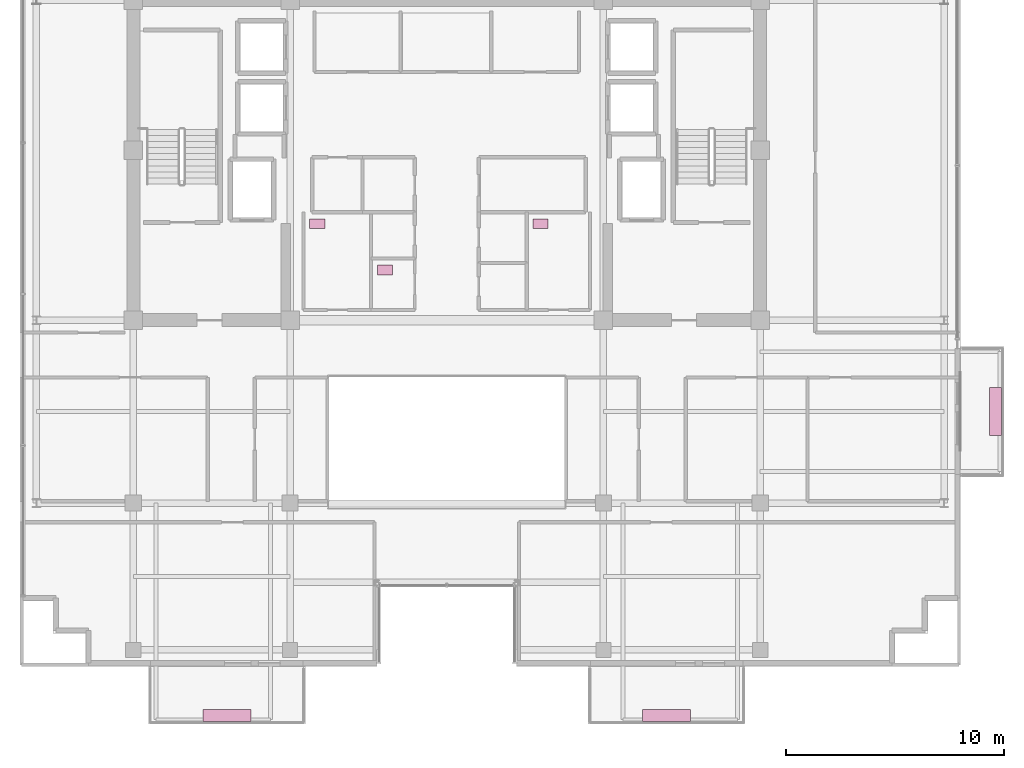
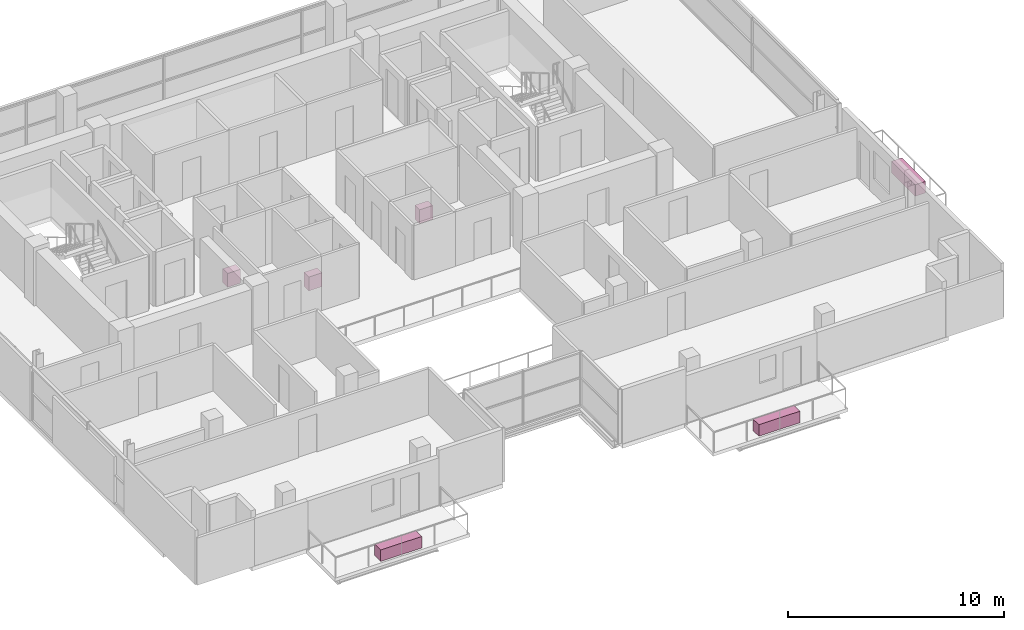
# One storey, part 22 of 22: 6 furnishings.
"""IFC4 building model written with IfcOpenShell, lengths in metres."""

from ifc_helpers import new_model, si_unit, direction, frame, origin, origin_2d, place, context, subcontext, project, spatial, rectangle, extrude, source, transform, mapped, material, type_object, element, save


model = new_model("IFC4")

# Units and contexts
model_context = context("Model", 3, precision=1e-05, world=origin(), true_north=direction((0.0, 1.0)))
body_context = subcontext(model_context, "Body", "Model", "MODEL_VIEW")
ifc_project = project(units=[si_unit("LENGTHUNIT", "METRE"), si_unit("AREAUNIT", "SQUARE_METRE"), si_unit("VOLUMEUNIT", "CUBIC_METRE"), si_unit("PLANEANGLEUNIT", "RADIAN"), si_unit("MASSUNIT", "GRAM", prefix="KILO")], contexts=[model_context])

# Site, building, storey
site_placement = place(None, origin())
site = spatial("IfcSite", under=ifc_project, at=site_placement, CompositionType="ELEMENT")
building_placement = place(site_placement, origin())
building = spatial("IfcBuilding", under=site, at=building_placement, Name="Zarnakvel Exchange Tower", CompositionType="ELEMENT")
storey_placement = place(building_placement, frame((0.0, 0.0, 245.199951171875)))
storey = spatial("IfcBuildingStorey", under=building, at=storey_placement, Name="L69", CompositionType="ELEMENT", Elevation=245.199951171875)

# Furnishings
ifc_material_1 = material(Name="Architectural Bronze Anodised Aluminium", Category="aluminium")
furnishing_element_type_1 = type_object("IfcFurnishingElementType", Name="PLNT-01", material=ifc_material_1)
shared_shape_1 = source(origin(), body_context, "Body", "SweptSolid", [
    extrude(rectangle(XDim=2.199951171875, YDim=0.550048828125, at=origin_2d()), origin(), (0.0, 0.0, 1.0), 0.64990234375),
])
for number, where, z_axis, x_axis, name in (
    (1, (-10.10009765625, -19.3701171875, -0.034912109375), (0.0, 0.0, 1.0), (1.0, 0.0, 0.0), "L69 Balcony Greenery Planter BAL-L69-SW"),
    (2, (10.10009765625, -19.3701171875, -0.034912109375), (0.0, 0.0, 1.0), (1.0, 0.0, 0.0), "L69 Balcony Greenery Planter BAL-L69-SE"),
    (3, (25.219970703125, -5.39990234375, -0.034912109375), (0.0, 0.0, 1.0), (0.0, 1.0, 0.0), "L69 Balcony Greenery Planter BAL-L69-E"),
):
    element("IfcFurnishingElement", number, at=place(storey_placement, frame(where, z_axis=z_axis, x_axis=x_axis)), inside=storey, type_object=furnishing_element_type_1, Name=name, ObjectType="PLANTER", context=body_context, shape_type="MappedRepresentation", body=[
        mapped(shared_shape_1, transform((0.0, 0.0, 0.0), x_axis=(1.0, 0.0, 0.0), y_axis=(0.0, 1.0, 0.0), z_axis=(0.0, 0.0, 1.0), scale=1.0)),
    ])
ifc_material_2 = material(Name="Vitreous China Sanitaryware", Category="ceramic")
furnishing_element_type_2 = type_object("IfcFurnishingElementType", Name="SAN-WC", material=ifc_material_2)
shared_shape_2 = source(origin(), body_context, "Body", "SweptSolid", [
    extrude(rectangle(XDim=0.699951171875, YDim=0.449951171875, at=origin_2d()), origin(), (0.0, 0.0, 1.0), 0.780029296875),
])
for number, where, z_axis, x_axis, name in (
    (4, (-5.949951171875, 3.22998046875, 0.0), (0.0, 0.0, 1.0), (1.0, 0.0, 0.0), "L69 Sanitary Fixture (Male Toilet)"),
    (5, (-2.840087890625, 1.10009765625, 0.0), (0.0, 0.0, 1.0), (1.0, 0.0, 0.0), "L69 Sanitary Fixture (Accessible Toilet)"),
    (6, (4.31005859375, 3.22998046875, 0.0), (0.0, 0.0, 1.0), (1.0, 0.0, 0.0), "L69 Sanitary Fixture (Female Toilet)"),
):
    element("IfcFurnishingElement", number, at=place(storey_placement, frame(where, z_axis=z_axis, x_axis=x_axis)), inside=storey, type_object=furnishing_element_type_2, Name=name, ObjectType="SANITARY_FIXTURE", context=body_context, shape_type="MappedRepresentation", body=[
        mapped(shared_shape_2, transform((0.0, 0.0, 0.0), x_axis=(1.0, 0.0, 0.0), y_axis=(0.0, 1.0, 0.0), z_axis=(0.0, 0.0, 1.0), scale=1.0)),
    ])

save(model, "model.ifc")
